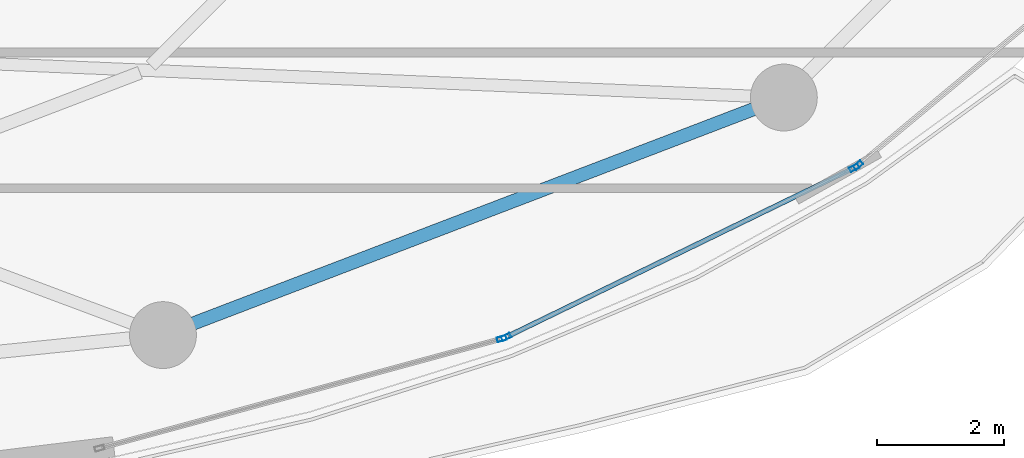
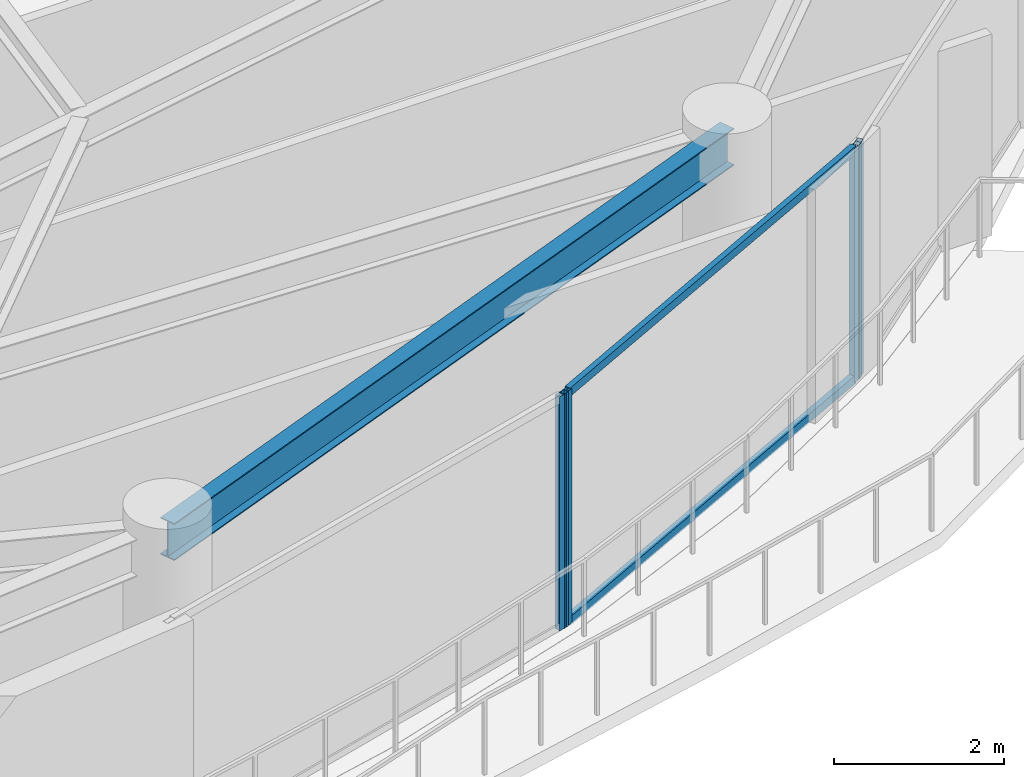
# One storey, part 13 of 31: 6 members, 1 beam, 3 elements without a shape of their own.
"""IFC4 building model written with IfcOpenShell, lengths in metres."""

from ifc_helpers import new_model, si_unit, direction, frame, origin, origin_2d, place, context, subcontext, project, spatial, hollow_rectangle, i_section, extrude, material, layer, layer_set, material_profile, profile_set, type_object, element, aggregate, save


model = new_model("IFC4")

# Units and contexts
model_context = context("Model", 3, precision=1e-05, world=origin(), true_north=direction((0.0, 1.0)))
body_context = subcontext(model_context, "Body", "Model", "MODEL_VIEW")
ifc_project = project(units=[si_unit("LENGTHUNIT", "METRE"), si_unit("AREAUNIT", "SQUARE_METRE"), si_unit("VOLUMEUNIT", "CUBIC_METRE"), si_unit("PLANEANGLEUNIT", "RADIAN"), si_unit("MASSUNIT", "GRAM", prefix="KILO")], contexts=[model_context])

# Site, building, storey
site_placement = place(None, origin())
site = spatial("IfcSite", under=ifc_project, at=site_placement, CompositionType="ELEMENT")
building_placement = place(site_placement, origin())
building = spatial("IfcBuilding", under=site, at=building_placement, Name="Kazevale Care Tower and Concert Hall", CompositionType="ELEMENT")
storey_placement = place(building_placement, frame((0.0, 0.0, 202.800048828125)))
storey = spatial("IfcBuildingStorey", under=building, at=storey_placement, Name="L53", CompositionType="ELEMENT", Elevation=202.800048828125)

# Curtain wall, member
ifc_material_1 = material(Name="Aluminium 6063-T6 and Low-E Glass", Category="aluminium")
ifc_layer = layer(ifc_material_1, 0.179931640625)
ifc_layer_set = layer_set([ifc_layer], Name="Aluminium 6063-T6 and Low-E Glass")
curtain_wall_type = type_object("IfcCurtainWallType", Name="Sheltered Concave Balcony Curtain Wall CW-5", PredefinedType="NOTDEFINED", material=ifc_layer_set)
curtain_wall_1_placement = place(storey_placement, origin())
curtain_wall_1 = element("IfcCurtainWall", 1, at=curtain_wall_1_placement, inside=storey, type_object=curtain_wall_type, Name="cw:L53:f02", PredefinedType="NOTDEFINED")
ifc_material_2 = material(Name="Aluminium 6063-T6", Category="aluminium")
ifc_material_profile_1 = material_profile(ifc_material_2, hollow_rectangle(XDim=0.074951171875, YDim=0.14990234375, WallThickness=0.00390625, at=origin_2d()), Name="ALU75x150x4")
ifc_profile_set_1 = profile_set([ifc_material_profile_1], Name="Aluminium 6063-T6")
member_type_1 = type_object("IfcMemberType", Name="CW-5 Mullion ALU75x150x4", PredefinedType="MULLION", material=ifc_profile_set_1)
member_1_placement = place(storey_placement, frame((67.417724609375, 21.5869140625, 0.0), z_axis=(0.0, 0.0, 1.0), x_axis=(0.639961217204, -0.768407210062, 0.0)))
member_1 = element("IfcMember", 2, at=member_1_placement, type_object=member_type_1, Name="CW-5 mullion 2", PredefinedType="MULLION", context=body_context, shape_type="SweptSolid", body=[
    extrude(hollow_rectangle(XDim=0.074951171875, YDim=0.14990234375, WallThickness=0.00390625, at=origin_2d()), origin(), (0.0, 0.0, 1.0), 3.35986328125),
])
aggregate(curtain_wall_1, [member_1])

# Curtain wall, members
curtain_wall_2_placement = place(storey_placement, origin())
curtain_wall_2 = element("IfcCurtainWall", 3, at=curtain_wall_2_placement, inside=storey, type_object=curtain_wall_type, Name="cw:L53:f03", PredefinedType="NOTDEFINED")
member_2_placement = place(storey_placement, frame((67.355224609375, 21.546630859375, 0.0), z_axis=(0.0, 0.0, 1.0), x_axis=(0.437238357087, -0.89934566163, 0.0)))
member_2 = element("IfcMember", 4, at=member_2_placement, type_object=member_type_1, Name="CW-5 mullion 1", PredefinedType="MULLION", context=body_context, shape_type="SweptSolid", body=[
    extrude(hollow_rectangle(XDim=0.074951171875, YDim=0.14990234375, WallThickness=0.00390625, at=origin_2d()), origin(), (0.0, 0.0, 1.0), 3.35986328125),
])
member_3_placement = place(storey_placement, frame((61.8896484375, 18.889404296875, 0.0), z_axis=(0.0, 0.0, 1.0), x_axis=(0.437238357087, -0.89934566163, 0.0)))
member_3 = element("IfcMember", 5, at=member_3_placement, type_object=member_type_1, Name="CW-5 mullion 2", PredefinedType="MULLION", context=body_context, shape_type="SweptSolid", body=[
    extrude(hollow_rectangle(XDim=0.074951171875, YDim=0.14990234375, WallThickness=0.00390625, at=origin_2d()), origin(), (0.0, 0.0, 1.0), 3.35986328125),
])

# Curtain wall, member
curtain_wall_3_placement = place(storey_placement, origin())
curtain_wall_3 = element("IfcCurtainWall", 6, at=curtain_wall_3_placement, inside=storey, type_object=curtain_wall_type, Name="cw:L53:f04", PredefinedType="NOTDEFINED")
member_4_placement = place(storey_placement, frame((61.81982421875, 18.863037109375, 0.0), z_axis=(0.0, 0.0, 1.0), x_axis=(0.262848968947, -0.964836991167, 0.0)))
member_4 = element("IfcMember", 7, at=member_4_placement, type_object=member_type_1, Name="CW-5 mullion 1", PredefinedType="MULLION", context=body_context, shape_type="SweptSolid", body=[
    extrude(hollow_rectangle(XDim=0.074951171875, YDim=0.14990234375, WallThickness=0.00390625, at=origin_2d()), origin(), (0.0, 0.0, 1.0), 3.35986328125),
])
aggregate(curtain_wall_3, [member_4])

# Member
ifc_material_profile_2 = material_profile(ifc_material_2, hollow_rectangle(XDim=0.074951171875, YDim=0.1201171875, WallThickness=0.00390625, at=origin_2d()), Name="ALU75x120x4")
ifc_profile_set_2 = profile_set([ifc_material_profile_2], Name="Aluminium 6063-T6")
member_type_2 = type_object("IfcMemberType", Name="CW-5 Transom ALU75x120x4", PredefinedType="USERDEFINED", material=ifc_profile_set_2)
member_5_placement = place(storey_placement, frame((67.321533203125, 21.5302734375, 0.037353515625), z_axis=(-0.899342308406, -0.437245254189, 0.0), x_axis=(0.437245254189, -0.899342308406, 0.0)))
member_5 = element("IfcMember", 8, at=member_5_placement, type_object=member_type_2, Name="CW-5 transom 1.1", ObjectType="TRANSOM", PredefinedType="USERDEFINED", context=body_context, shape_type="SweptSolid", body=[
    extrude(hollow_rectangle(XDim=0.074951171875, YDim=0.1201171875, WallThickness=0.00390625, at=origin_2d()), origin(), (0.0, 0.0, 1.0), 6.00244140625),
])

member_6_placement = place(storey_placement, frame((67.321533203125, 21.5302734375, 3.322509765625), z_axis=(-0.899342308406, -0.437245254189, 0.0), x_axis=(0.437245254189, -0.899342308406, 0.0)))
member_6 = element("IfcMember", 9, at=member_6_placement, type_object=member_type_2, Name="CW-5 transom 1.2", ObjectType="TRANSOM", PredefinedType="USERDEFINED", context=body_context, shape_type="SweptSolid", body=[
    extrude(hollow_rectangle(XDim=0.074951171875, YDim=0.1201171875, WallThickness=0.00390625, at=origin_2d()), origin(), (0.0, 0.0, 1.0), 6.00244140625),
])

aggregate(curtain_wall_2, [member_2, member_3, member_5, member_6])

# Beam
ifc_material_3 = material(Name="Steel ASTM A572 Gr 50", Category="steel")
ifc_material_profile_3 = material_profile(ifc_material_3, i_section(OverallWidth=0.208984375, OverallDepth=0.532958984375, WebThickness=0.01025390625, FlangeThickness=0.015625, at=origin_2d()), Name="W530x92")
ifc_profile_set_3 = profile_set([ifc_material_profile_3], Name="Steel ASTM A572 Gr 50")
beam_type = type_object("IfcBeamType", Name="Upper Ring Beam W530x92", PredefinedType="BEAM", material=ifc_profile_set_3)
beam_placement = place(storey_placement, frame((56.5, 18.919921875, 3.093505859375), z_axis=(0.933986653173, 0.357307894811, 0.0), x_axis=(-0.357307894811, 0.933986653173, 0.0)))
element("IfcBeam", 10, at=beam_placement, inside=storey, type_object=beam_type, Name="beam:L53:ring:14", PredefinedType="BEAM", context=body_context, shape_type="SweptSolid", body=[
    extrude(i_section(OverallWidth=0.208984375, OverallDepth=0.532958984375, WebThickness=0.01025390625, FlangeThickness=0.015625, at=origin_2d()), origin(), (0.0, 0.0, 1.0), 10.439208984375),
])

save(model, "model.ifc")
